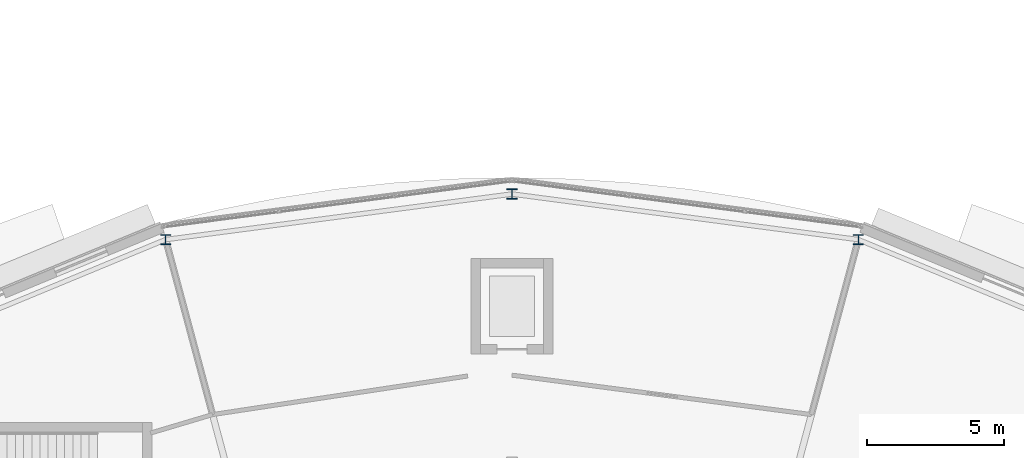
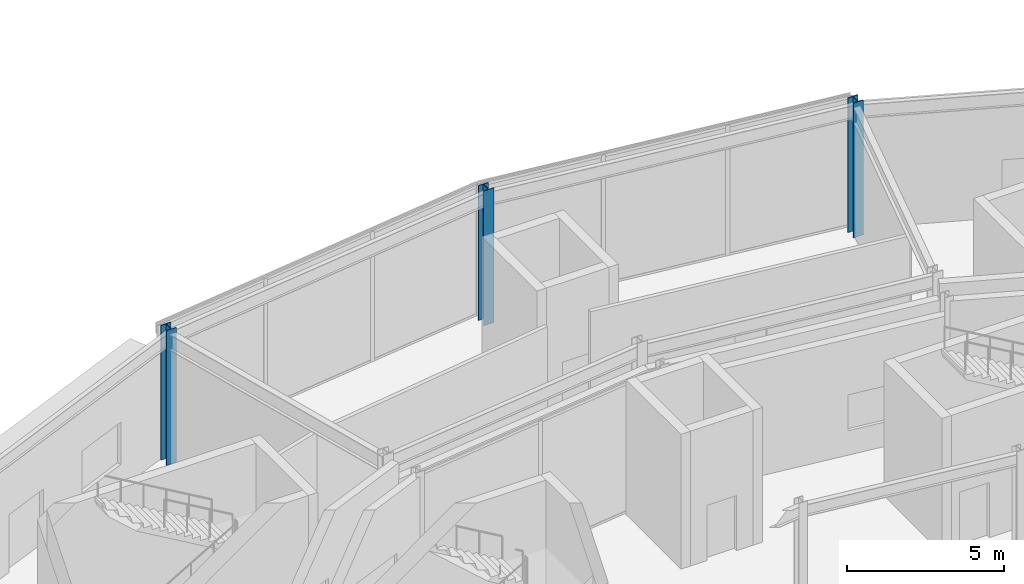
# One storey, part 14 of 168: 3 columns.
"""IFC4 building model written with IfcOpenShell, lengths in metres."""

from ifc_helpers import new_model, si_unit, direction, frame, origin, origin_2d, place, context, subcontext, project, spatial, i_section, extrude, material, material_profile, profile_set, type_object, element, save


model = new_model("IFC4")

# Units and contexts
model_context = context("Model", 3, precision=1e-05, world=origin(), true_north=direction((0.0, 1.0)))
body_context = subcontext(model_context, "Body", "Model", "MODEL_VIEW")
ifc_project = project(units=[si_unit("LENGTHUNIT", "METRE"), si_unit("AREAUNIT", "SQUARE_METRE"), si_unit("VOLUMEUNIT", "CUBIC_METRE"), si_unit("PLANEANGLEUNIT", "RADIAN"), si_unit("MASSUNIT", "GRAM", prefix="KILO")], contexts=[model_context])

# Site, building, storey
site_placement = place(None, origin())
site = spatial("IfcSite", under=ifc_project, at=site_placement, CompositionType="ELEMENT")
building_placement = place(site_placement, origin())
building = spatial("IfcBuilding", under=site, at=building_placement, Name="Almandine Court Research Institute", CompositionType="ELEMENT")
storey_placement = place(building_placement, origin())
storey = spatial("IfcBuildingStorey", under=building, at=storey_placement, Name="L00", CompositionType="ELEMENT", Elevation=0.0)

# Columns
ifc_material = material(Name="Steel ASTM A992 Grade 50", Category="steel")
ifc_material_profile = material_profile(ifc_material, i_section(OverallWidth=0.373046875, OverallDepth=0.367919921875, WebThickness=0.01708984375, FlangeThickness=0.027099609375, at=origin_2d()), Name="W360x179")
ifc_profile_set = profile_set([ifc_material_profile], Name="Steel ASTM A992 Grade 50")
column_type = type_object("IfcColumnType", Name="Col-C-W03-E", PredefinedType="COLUMN", material=ifc_profile_set)
for number, where, z_axis, x_axis, name in (
    (1, (99.656005859375, 103.23388671875, 0.0), (0.0, 0.0, 1.0), (1.0, 0.0, 0.0), "L00 V5 Column V5-OUT-S05"),
    (2, (87.0, 104.89990234375, 0.0), (0.0, 0.0, 1.0), (1.0, 0.0, 0.0), "L00 V5 Column V5-OUT-S06"),
    (3, (74.343994140625, 103.23388671875, 0.0), (0.0, 0.0, 1.0), (1.0, 0.0, 0.0), "L00 V5 Column V5-OUT-S07"),
):
    element("IfcColumn", number, at=place(storey_placement, frame(where, z_axis=z_axis, x_axis=x_axis)), inside=storey, type_object=column_type, Name=name, PredefinedType="COLUMN", context=body_context, shape_type="SweptSolid", body=[
        extrude(i_section(OverallWidth=0.373046875, OverallDepth=0.367919921875, WebThickness=0.01708984375, FlangeThickness=0.027099609375, at=origin_2d()), origin(), (0.0, 0.0, 1.0), 5.25),
    ])

save(model, "model.ifc")
